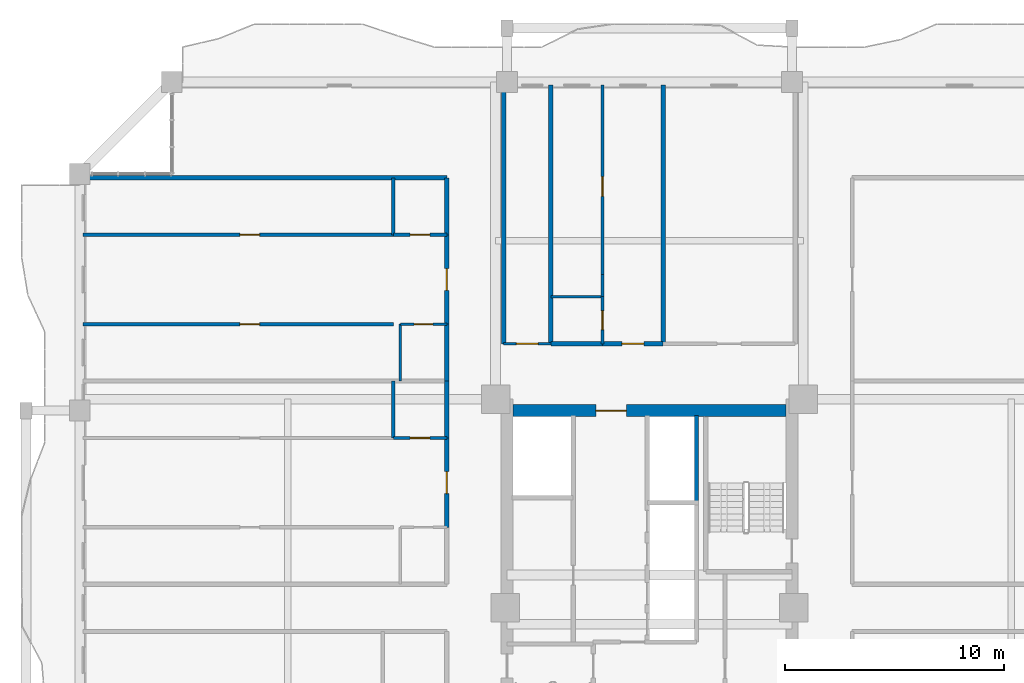
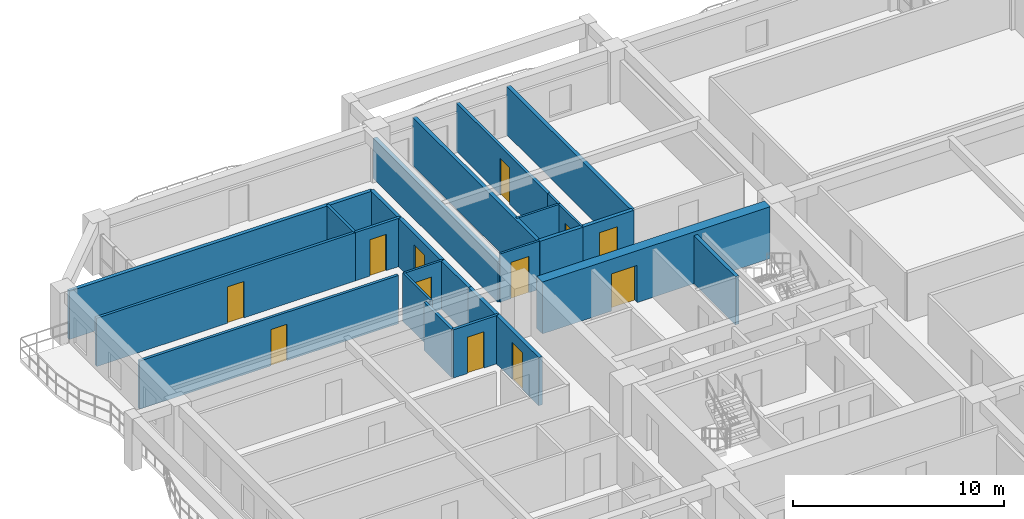
# One storey, part 16 of 22: 26 walls, 12 doors, 12 openings.
"""IFC4 building model written with IfcOpenShell, lengths in metres."""

from ifc_helpers import new_model, si_unit, direction, frame, frame_2d, origin, place, context, subcontext, project, spatial, rectangle, extrude, source, transform, mapped, material, layer, layer_set, type_object, element, fill, save


model = new_model("IFC4")

# Units and contexts
model_context = context("Model", 3, precision=1e-05, world=origin(), true_north=direction((0.0, 1.0)))
body_context = subcontext(model_context, "Body", "Model", "MODEL_VIEW")
ifc_project = project(units=[si_unit("LENGTHUNIT", "METRE"), si_unit("AREAUNIT", "SQUARE_METRE"), si_unit("VOLUMEUNIT", "CUBIC_METRE"), si_unit("PLANEANGLEUNIT", "RADIAN"), si_unit("MASSUNIT", "GRAM", prefix="KILO")], contexts=[model_context])

# Site, building, storey
site_placement = place(None, origin())
site = spatial("IfcSite", under=ifc_project, at=site_placement, CompositionType="ELEMENT")
building_placement = place(site_placement, origin())
building = spatial("IfcBuilding", under=site, at=building_placement, Name="Saelheon Loggia Tower", CompositionType="ELEMENT")
storey_placement = place(building_placement, frame((0.0, 0.0, 135.75)))
storey = spatial("IfcBuildingStorey", under=building, at=storey_placement, Name="L43", CompositionType="ELEMENT", Elevation=135.75)

# Wall, opening, door
ifc_material_1 = material(Name="Concrete C50/60", Category="concrete")
ifc_layer_1 = layer(ifc_material_1, 0.550048828125)
ifc_layer_set_1 = layer_set([ifc_layer_1], Name="Concrete C50/60")
wall_type_1 = type_object("IfcWallType", Name="Wall_CoreShear_550", PredefinedType="SHEAR", material=ifc_layer_set_1)
wall_1_placement = place(storey_placement, frame((31.77490234375, 36.0, 0.0), z_axis=(0.0, 0.0, 1.0), x_axis=(1.0, 0.0, 0.0)))
wall_1 = element("IfcWall", 1, at=wall_1_placement, inside=storey, type_object=wall_type_1, Name="L43 Core Shear Wall North", PredefinedType="SHEAR", context=body_context, shape_type="SweptSolid", body=[
    extrude(rectangle(XDim=12.4501953125, YDim=0.550048828125, at=frame_2d((6.22509765625, 0.0))), origin(), (0.0, 0.0, 1.0), 3.0),
])
opening_1_placement = place(wall_1_placement, frame((5.1748046875, 0.0, 0.0), z_axis=(0.0, 0.0, 1.0), x_axis=(-1.0, 0.0, 0.0)))
opening_1 = element("IfcOpeningElement", 2, at=opening_1_placement, cuts=wall_1, Name="Opening D-FD2L", PredefinedType="OPENING", context=body_context, shape_type="SweptSolid", body=[
    extrude(rectangle(XDim=1.39990234375, YDim=2.14990234375, at=frame_2d((0.699951171875, 1.074951171875))), frame((0.0, 0.287109375, 0.0), z_axis=(0.0, -1.0, 0.0), x_axis=(1.0, 0.0, 0.0)), (0.0, 0.0, 1.0), 0.573974609375),
])
ifc_material_2 = material(Name="Galvanised Steel Glazed Lobby Fire Door", Category="steel")
door_type_1 = type_object("IfcDoorType", Name="Door_Fire_FD60_1400", OperationType="NOTDEFINED", PredefinedType="DOOR", material=ifc_material_2)
shared_shape_1 = source(origin(), body_context, "Body", "SweptSolid", [
    extrude(rectangle(XDim=1.39990234375, YDim=2.14990234375, at=frame_2d((0.699951171875, 1.074951171875))), frame((0.0, 0.02490234375, 0.0), z_axis=(0.0, -1.0, 0.0), x_axis=(1.0, 0.0, 0.0)), (0.0, 0.0, 1.0), 0.050048828125),
])
door_1_placement = place(opening_1_placement, origin())
door_1 = element("IfcDoor", 3, at=door_1_placement, inside=storey, type_object=door_type_1, Name="L43 Passenger Lift Lobby Main Door", OperationType="SINGLE_SWING_RIGHT", OverallHeight=2.14990234375, OverallWidth=1.39990234375, PredefinedType="DOOR", context=body_context, shape_type="MappedRepresentation", body=[
    mapped(shared_shape_1, transform((0.0, 0.0, 0.0), scale=1.0)),
])
fill(opening_1, door_1)

ifc_material_3 = material(Name="Lightweight Autoclaved Aerated Concrete Block and Acoustic Gypsum", Category="concrete")
ifc_layer_2 = layer(ifc_material_3, 0.14990234375)
ifc_layer_set_2 = layer_set([ifc_layer_2], Name="Lightweight Autoclaved Aerated Concrete Block and Acoustic Gypsum")
wall_type_2 = type_object("IfcWallType", Name="Wall_Part_150", PredefinedType="PARTITIONING", material=ifc_layer_set_2)
wall_2_placement = place(storey_placement, frame((35.859375, 42.2099609375, 0.0), z_axis=(0.0, 0.0, 1.0), x_axis=(0.0, 1.0, 0.0)))
wall_2 = element("IfcWall", 4, at=wall_2_placement, inside=storey, type_object=wall_type_2, Name="L43 N Partition U10", PredefinedType="PARTITIONING", context=body_context, shape_type="SweptSolid", body=[
    extrude(rectangle(XDim=8.64013671875, YDim=0.14990234375, at=frame_2d((4.320068359375, 0.0))), origin(), (0.0, 0.0, 1.0), 2.7900390625),
])
opening_2_placement = place(wall_2_placement, frame((3.5673828125, 0.0, 0.0)))
opening_2 = element("IfcOpeningElement", 5, at=opening_2_placement, cuts=wall_2, Name="Opening D-IN2", PredefinedType="OPENING", context=body_context, shape_type="SweptSolid", body=[
    extrude(rectangle(XDim=0.89990234375, YDim=2.10009765625, at=frame_2d((0.449951171875, 1.050048828125))), frame((0.0, 0.0869140625, 0.0), z_axis=(0.0, -1.0, 0.0), x_axis=(1.0, 0.0, 0.0)), (0.0, 0.0, 1.0), 0.173828125),
])
ifc_material_4 = material(Name="Engineered Oak Flush Door", Category="timber")
door_type_2 = type_object("IfcDoorType", Name="Door_Int_900", OperationType="NOTDEFINED", PredefinedType="DOOR", material=ifc_material_4)
shared_shape_2 = source(origin(), body_context, "Body", "SweptSolid", [
    extrude(rectangle(XDim=0.89990234375, YDim=2.10009765625, at=frame_2d((0.449951171875, 1.050048828125))), frame((0.0, 0.02490234375, 0.0), z_axis=(0.0, -1.0, 0.0), x_axis=(1.0, 0.0, 0.0)), (0.0, 0.0, 1.0), 0.050048828125),
])
door_2_placement = place(opening_2_placement, origin())
door_2 = element("IfcDoor", 6, at=door_2_placement, inside=storey, type_object=door_type_2, Name="Unit U01 Kitchen Door", OperationType="SINGLE_SWING_RIGHT", OverallHeight=2.10009765625, OverallWidth=0.89990234375, PredefinedType="DOOR", context=body_context, shape_type="MappedRepresentation", body=[
    mapped(shared_shape_2, transform((0.0, 0.0, 0.0), scale=1.0)),
])
fill(opening_2, door_2)

# Wall
wall_3_placement = place(storey_placement, frame((26.31005859375, 34.75, 0.0), z_axis=(0.0, 0.0, 1.0), x_axis=(0.0, 1.0, 0.0)))
element("IfcWall", 7, at=wall_3_placement, inside=storey, type_object=wall_type_2, Name="L43 WN Partition V07", PredefinedType="PARTITIONING", context=body_context, shape_type="SweptSolid", body=[
    extrude(rectangle(XDim=2.60009765625, YDim=0.14990234375, at=frame_2d((1.300048828125, 0.0))), origin(), (0.0, 0.0, 1.0), 2.7900390625),
])

# Wall, opening, door
wall_4_placement = place(storey_placement, frame((28.75, 34.75, 0.0), z_axis=(0.0, 0.0, 1.0), x_axis=(-1.0, 0.0, 0.0)))
wall_4 = element("IfcWall", 8, at=wall_4_placement, inside=storey, type_object=wall_type_2, Name="L43 WN Partition U10", PredefinedType="PARTITIONING", context=body_context, shape_type="SweptSolid", body=[
    extrude(rectangle(XDim=2.43994140625, YDim=0.14990234375, at=frame_2d((1.219970703125, 0.0))), origin(), (0.0, 0.0, 1.0), 2.7900390625),
])
opening_3_placement = place(wall_4_placement, frame((0.77001953125, 0.0, 0.0)))
opening_3 = element("IfcOpeningElement", 9, at=opening_3_placement, cuts=wall_4, Name="Opening D-IN2", PredefinedType="OPENING", context=body_context, shape_type="SweptSolid", body=[
    extrude(rectangle(XDim=0.89990234375, YDim=2.10009765625, at=frame_2d((0.449951171875, 1.050048828125))), frame((0.0, 0.0869140625, 0.0), z_axis=(0.0, -1.0, 0.0), x_axis=(1.0, 0.0, 0.0)), (0.0, 0.0, 1.0), 0.173828125),
])
door_3_placement = place(opening_3_placement, origin())
door_3 = element("IfcDoor", 10, at=door_3_placement, inside=storey, type_object=door_type_2, Name="Unit U04 Dressing Closet Door", OperationType="SINGLE_SWING_LEFT", OverallHeight=2.10009765625, OverallWidth=0.89990234375, PredefinedType="DOOR", context=body_context, shape_type="MappedRepresentation", body=[
    mapped(shared_shape_2, transform((0.0, 0.0, 0.0), scale=1.0)),
])
fill(opening_3, door_3)

# Wall
wall_5_placement = place(storey_placement, frame((26.31005859375, 44.02001953125, 0.0), z_axis=(0.0, 0.0, 1.0), x_axis=(0.0, 1.0, 0.0)))
element("IfcWall", 11, at=wall_5_placement, inside=storey, type_object=wall_type_2, Name="L43 WN Partition V17", PredefinedType="PARTITIONING", context=body_context, shape_type="SweptSolid", body=[
    extrude(rectangle(XDim=2.60009765625, YDim=0.14990234375, at=frame_2d((1.300048828125, 0.0))), origin(), (0.0, 0.0, 1.0), 2.7900390625),
])

# Wall, opening, door
wall_6_placement = place(storey_placement, frame((26.31005859375, 39.945556640625, 0.0), z_axis=(0.0, 0.0, 1.0), x_axis=(-1.0, 0.0, 0.0)))
wall_6 = element("IfcWall", 12, at=wall_6_placement, inside=storey, type_object=wall_type_2, Name="L43 WN Partition U19", PredefinedType="PARTITIONING", context=body_context, shape_type="SweptSolid", body=[
    extrude(rectangle(XDim=14.16015625, YDim=0.14990234375, at=frame_2d((7.080078125, 0.0))), origin(), (0.0, 0.0, 1.0), 2.7900390625),
])
opening_4_placement = place(wall_6_placement, frame((6.097412109375, 0.0, 0.0)))
opening_4 = element("IfcOpeningElement", 13, at=opening_4_placement, cuts=wall_6, Name="Opening D-IN2", PredefinedType="OPENING", context=body_context, shape_type="SweptSolid", body=[
    extrude(rectangle(XDim=0.89990234375, YDim=2.10009765625, at=frame_2d((0.449951171875, 1.050048828125))), frame((0.0, 0.0869140625, 0.0), z_axis=(0.0, -1.0, 0.0), x_axis=(1.0, 0.0, 0.0)), (0.0, 0.0, 1.0), 0.173828125),
])
door_4_placement = place(opening_4_placement, origin())
door_4 = element("IfcDoor", 14, at=door_4_placement, inside=storey, type_object=door_type_2, Name="Unit U05 Kitchen Door", OperationType="SINGLE_SWING_LEFT", OverallHeight=2.10009765625, OverallWidth=0.89990234375, PredefinedType="DOOR", context=body_context, shape_type="MappedRepresentation", body=[
    mapped(shared_shape_2, transform((0.0, 0.0, 0.0), scale=1.0)),
])
fill(opening_4, door_4)

wall_7_placement = place(storey_placement, frame((28.75, 44.02001953125, 0.0), z_axis=(0.0, 0.0, 1.0), x_axis=(-1.0, 0.0, 0.0)))
wall_7 = element("IfcWall", 15, at=wall_7_placement, inside=storey, type_object=wall_type_2, Name="L43 WN Partition U20", PredefinedType="PARTITIONING", context=body_context, shape_type="SweptSolid", body=[
    extrude(rectangle(XDim=2.43994140625, YDim=0.14990234375, at=frame_2d((1.219970703125, 0.0))), origin(), (0.0, 0.0, 1.0), 2.7900390625),
])
opening_5_placement = place(wall_7_placement, frame((0.77001953125, 0.0, 0.0)))
opening_5 = element("IfcOpeningElement", 16, at=opening_5_placement, cuts=wall_7, Name="Opening D-IN2", PredefinedType="OPENING", context=body_context, shape_type="SweptSolid", body=[
    extrude(rectangle(XDim=0.89990234375, YDim=2.10009765625, at=frame_2d((0.449951171875, 1.050048828125))), frame((0.0, 0.0869140625, 0.0), z_axis=(0.0, -1.0, 0.0), x_axis=(1.0, 0.0, 0.0)), (0.0, 0.0, 1.0), 0.173828125),
])
door_5_placement = place(opening_5_placement, origin())
door_5 = element("IfcDoor", 17, at=door_5_placement, inside=storey, type_object=door_type_2, Name="Unit U05 Dressing Closet Door", OperationType="SINGLE_SWING_RIGHT", OverallHeight=2.10009765625, OverallWidth=0.89990234375, PredefinedType="DOOR", context=body_context, shape_type="MappedRepresentation", body=[
    mapped(shared_shape_2, transform((0.0, 0.0, 0.0), scale=1.0)),
])
fill(opening_5, door_5)

wall_8_placement = place(storey_placement, frame((26.31005859375, 44.02001953125, 0.0), z_axis=(0.0, 0.0, 1.0), x_axis=(-1.0, 0.0, 0.0)))
wall_8 = element("IfcWall", 18, at=wall_8_placement, inside=storey, type_object=wall_type_2, Name="L43 WN Partition U21", PredefinedType="PARTITIONING", context=body_context, shape_type="SweptSolid", body=[
    extrude(rectangle(XDim=14.16015625, YDim=0.14990234375, at=frame_2d((7.080078125, 0.0))), origin(), (0.0, 0.0, 1.0), 2.7900390625),
])
opening_6_placement = place(wall_8_placement, frame((6.097412109375, 0.0, 0.0)))
opening_6 = element("IfcOpeningElement", 19, at=opening_6_placement, cuts=wall_8, Name="Opening D-IN2", PredefinedType="OPENING", context=body_context, shape_type="SweptSolid", body=[
    extrude(rectangle(XDim=0.89990234375, YDim=2.10009765625, at=frame_2d((0.449951171875, 1.050048828125))), frame((0.0, 0.0869140625, 0.0), z_axis=(0.0, -1.0, 0.0), x_axis=(1.0, 0.0, 0.0)), (0.0, 0.0, 1.0), 0.173828125),
])
door_6_placement = place(opening_6_placement, origin())
door_6 = element("IfcDoor", 20, at=door_6_placement, inside=storey, type_object=door_type_2, Name="Unit U05 Bedroom 1 Door", OperationType="SINGLE_SWING_LEFT", OverallHeight=2.10009765625, OverallWidth=0.89990234375, PredefinedType="DOOR", context=body_context, shape_type="MappedRepresentation", body=[
    mapped(shared_shape_2, transform((0.0, 0.0, 0.0), scale=1.0)),
])
fill(opening_6, door_6)

# Walls
ifc_material_5 = material(Name="Double Acoustic Stud and Fireboard Partition", Category="gypsum")
ifc_layer_3 = layer(ifc_material_5, 0.199951171875)
ifc_layer_set_3 = layer_set([ifc_layer_3], Name="Double Acoustic Stud and Fireboard Partition")
wall_type_3 = type_object("IfcWallType", Name="Wall_Party_200", PredefinedType="PARTITIONING", material=ifc_layer_set_3)
wall_9_placement = place(storey_placement, frame((31.35009765625, 39.050048828125, 0.0), z_axis=(0.0, 0.0, 1.0), x_axis=(0.0, 1.0, 0.0)))
element("IfcWall", 21, at=wall_9_placement, inside=storey, type_object=wall_type_3, Name="L43 N Partition U01", PredefinedType="PARTITIONING", context=body_context, shape_type="SweptSolid", body=[
    extrude(rectangle(XDim=11.800048828125, YDim=0.199951171875, at=frame_2d((5.89990234375, 0.0))), origin(), (0.0, 0.0, 1.0), 2.340087890625),
])
wall_10_placement = place(storey_placement, frame((33.5, 39.050048828125, 0.0), z_axis=(0.0, 0.0, 1.0), x_axis=(0.0, 1.0, 0.0)))
element("IfcWall", 22, at=wall_10_placement, inside=storey, type_object=wall_type_3, Name="L43 N Partition U03", PredefinedType="PARTITIONING", context=body_context, shape_type="SweptSolid", body=[
    extrude(rectangle(XDim=11.800048828125, YDim=0.199951171875, at=frame_2d((5.89990234375, 0.0))), origin(), (0.0, 0.0, 1.0), 2.7900390625),
])
wall_11_placement = place(storey_placement, frame((33.5, 39.050048828125, 0.0), z_axis=(0.0, 0.0, 1.0), x_axis=(1.0, 0.0, 0.0)))
element("IfcWall", 23, at=wall_11_placement, inside=storey, type_object=wall_type_3, Name="L43 N Partition V05", PredefinedType="PARTITIONING", context=body_context, shape_type="SweptSolid", body=[
    extrude(rectangle(XDim=2.359375, YDim=0.199951171875, at=frame_2d((1.1796875, 0.0))), origin(), (0.0, 0.0, 1.0), 2.7900390625),
])

# Wall, opening, door
wall_12_placement = place(storey_placement, frame((35.859375, 39.050048828125, 0.0), z_axis=(0.0, 0.0, 1.0), x_axis=(1.0, 0.0, 0.0)))
wall_12 = element("IfcWall", 24, at=wall_12_placement, inside=storey, type_object=wall_type_3, Name="L43 N Partition V06", PredefinedType="PARTITIONING", context=body_context, shape_type="SweptSolid", body=[
    extrude(rectangle(XDim=2.76953125, YDim=0.199951171875, at=frame_2d((1.384765625, 0.0))), origin(), (0.0, 0.0, 1.0), 2.7900390625),
])
opening_7_placement = place(wall_12_placement, frame((0.885009765625, 0.0, 0.0)))
opening_7 = element("IfcOpeningElement", 25, at=opening_7_placement, cuts=wall_12, Name="Opening D-FD1", PredefinedType="OPENING", context=body_context, shape_type="SweptSolid", body=[
    extrude(rectangle(XDim=1.0, YDim=2.14990234375, at=frame_2d((0.5, 1.074951171875))), frame((0.0, 0.112060546875, 0.0), z_axis=(0.0, -1.0, 0.0), x_axis=(1.0, 0.0, 0.0)), (0.0, 0.0, 1.0), 0.223876953125),
])
ifc_material_6 = material(Name="Fire-Rated Engineered Timber Entrance Door", Category="wood")
door_type_3 = type_object("IfcDoorType", Name="Door_Flat_FD30S", OperationType="NOTDEFINED", PredefinedType="DOOR", material=ifc_material_6)
shared_shape_3 = source(origin(), body_context, "Body", "SweptSolid", [
    extrude(rectangle(XDim=1.0, YDim=2.14990234375, at=frame_2d((0.5, 1.074951171875))), frame((0.0, 0.02490234375, 0.0), z_axis=(0.0, -1.0, 0.0), x_axis=(1.0, 0.0, 0.0)), (0.0, 0.0, 1.0), 0.050048828125),
])
door_7_placement = place(opening_7_placement, origin())
door_7 = element("IfcDoor", 26, at=door_7_placement, inside=storey, type_object=door_type_3, Name="Unit U01 Entrance Door", OperationType="SINGLE_SWING_RIGHT", OverallHeight=2.14990234375, OverallWidth=1.0, PredefinedType="DOOR", context=body_context, shape_type="MappedRepresentation", body=[
    mapped(shared_shape_3, transform((0.0, 0.0, 0.0), scale=1.0)),
])
fill(opening_7, door_7)

# Walls
wall_13_placement = place(storey_placement, frame((38.62890625, 39.050048828125, 0.0), z_axis=(0.0, 0.0, 1.0), x_axis=(0.0, 1.0, 0.0)))
element("IfcWall", 27, at=wall_13_placement, inside=storey, type_object=wall_type_3, Name="L43 N Partition U11", PredefinedType="PARTITIONING", context=body_context, shape_type="SweptSolid", body=[
    extrude(rectangle(XDim=11.800048828125, YDim=0.199951171875, at=frame_2d((5.89990234375, 0.0))), origin(), (0.0, 0.0, 1.0), 2.7900390625),
])
wall_14_placement = place(storey_placement, frame((28.75, 46.6201171875, 0.0), z_axis=(0.0, 0.0, 1.0), x_axis=(-1.0, 0.0, 0.0)))
element("IfcWall", 28, at=wall_14_placement, inside=storey, type_object=wall_type_3, Name="L43 WN Partition U02", PredefinedType="PARTITIONING", context=body_context, shape_type="SweptSolid", body=[
    extrude(rectangle(XDim=16.60009765625, YDim=0.199951171875, at=frame_2d((8.300048828125, 0.0))), origin(), (0.0, 0.0, 1.0), 2.7900390625),
])

# Wall, opening, door
wall_15_placement = place(storey_placement, frame((28.75, 30.675537109375, 0.0), z_axis=(0.0, 0.0, 1.0), x_axis=(0.0, 1.0, 0.0)))
wall_15 = element("IfcWall", 29, at=wall_15_placement, inside=storey, type_object=wall_type_3, Name="L43 WN Partition V04", PredefinedType="PARTITIONING", context=body_context, shape_type="SweptSolid", body=[
    extrude(rectangle(XDim=4.074462890625, YDim=0.199951171875, at=frame_2d((2.037109375, 0.0))), origin(), (0.0, 0.0, 1.0), 2.7900390625),
])
opening_8_placement = place(wall_15_placement, frame((1.537109375, 0.0, 0.0)))
opening_8 = element("IfcOpeningElement", 30, at=opening_8_placement, cuts=wall_15, Name="Opening D-FD1", PredefinedType="OPENING", context=body_context, shape_type="SweptSolid", body=[
    extrude(rectangle(XDim=1.0, YDim=2.14990234375, at=frame_2d((0.5, 1.074951171875))), frame((0.0, 0.112060546875, 0.0), z_axis=(0.0, -1.0, 0.0), x_axis=(1.0, 0.0, 0.0)), (0.0, 0.0, 1.0), 0.223876953125),
])
door_8_placement = place(opening_8_placement, origin())
door_8 = element("IfcDoor", 31, at=door_8_placement, inside=storey, type_object=door_type_3, Name="Unit U04 Entrance Door", OperationType="SINGLE_SWING_RIGHT", OverallHeight=2.14990234375, OverallWidth=1.0, PredefinedType="DOOR", context=body_context, shape_type="MappedRepresentation", body=[
    mapped(shared_shape_3, transform((0.0, 0.0, 0.0), scale=1.0)),
])
fill(opening_8, door_8)

# Walls
wall_16_placement = place(storey_placement, frame((28.75, 34.75, 0.0), z_axis=(0.0, 0.0, 1.0), x_axis=(0.0, 1.0, 0.0)))
element("IfcWall", 32, at=wall_16_placement, inside=storey, type_object=wall_type_3, Name="L43 WN Partition V05", PredefinedType="PARTITIONING", context=body_context, shape_type="SweptSolid", body=[
    extrude(rectangle(XDim=2.60009765625, YDim=0.199951171875, at=frame_2d((1.300048828125, 0.0))), origin(), (0.0, 0.0, 1.0), 2.7900390625),
])
wall_17_placement = place(storey_placement, frame((28.75, 37.35009765625, 0.0), z_axis=(0.0, 0.0, 1.0), x_axis=(0.0, 1.0, 0.0)))
element("IfcWall", 33, at=wall_17_placement, inside=storey, type_object=wall_type_3, Name="L43 WN Partition V13", PredefinedType="PARTITIONING", context=body_context, shape_type="SweptSolid", body=[
    extrude(rectangle(XDim=2.595458984375, YDim=0.199951171875, at=frame_2d((1.2978515625, 0.0))), origin(), (0.0, 0.0, 1.0), 2.7900390625),
])

# Wall, opening, door
wall_18_placement = place(storey_placement, frame((28.75, 39.945556640625, 0.0), z_axis=(0.0, 0.0, 1.0), x_axis=(0.0, 1.0, 0.0)))
wall_18 = element("IfcWall", 34, at=wall_18_placement, inside=storey, type_object=wall_type_3, Name="L43 WN Partition V14", PredefinedType="PARTITIONING", context=body_context, shape_type="SweptSolid", body=[
    extrude(rectangle(XDim=4.074462890625, YDim=0.199951171875, at=frame_2d((2.037109375, 0.0))), origin(), (0.0, 0.0, 1.0), 2.7900390625),
])
opening_9_placement = place(wall_18_placement, frame((1.537109375, 0.0, 0.0)))
opening_9 = element("IfcOpeningElement", 35, at=opening_9_placement, cuts=wall_18, Name="Opening D-FD1", PredefinedType="OPENING", context=body_context, shape_type="SweptSolid", body=[
    extrude(rectangle(XDim=1.0, YDim=2.14990234375, at=frame_2d((0.5, 1.074951171875))), frame((0.0, 0.112060546875, 0.0), z_axis=(0.0, -1.0, 0.0), x_axis=(1.0, 0.0, 0.0)), (0.0, 0.0, 1.0), 0.223876953125),
])
door_9_placement = place(opening_9_placement, origin())
door_9 = element("IfcDoor", 36, at=door_9_placement, inside=storey, type_object=door_type_3, Name="Unit U05 Entrance Door", OperationType="SINGLE_SWING_LEFT", OverallHeight=2.14990234375, OverallWidth=1.0, PredefinedType="DOOR", context=body_context, shape_type="MappedRepresentation", body=[
    mapped(shared_shape_3, transform((0.0, 0.0, 0.0), scale=1.0)),
])
fill(opening_9, door_9)

# Walls
wall_19_placement = place(storey_placement, frame((28.75, 44.02001953125, 0.0), z_axis=(0.0, 0.0, 1.0), x_axis=(0.0, 1.0, 0.0)))
element("IfcWall", 37, at=wall_19_placement, inside=storey, type_object=wall_type_3, Name="L43 WN Partition V15", PredefinedType="PARTITIONING", context=body_context, shape_type="SweptSolid", body=[
    extrude(rectangle(XDim=2.60009765625, YDim=0.199951171875, at=frame_2d((1.300048828125, 0.0))), origin(), (0.0, 0.0, 1.0), 2.7900390625),
])
ifc_material_7 = material(Name="Concrete C40/50", Category="concrete")
ifc_layer_4 = layer(ifc_material_7, 0.199951171875)
ifc_layer_set_4 = layer_set([ifc_layer_4], Name="Concrete C40/50")
wall_type_4 = type_object("IfcWallType", Name="Wall_Shaft_200", PredefinedType="PARTITIONING", material=ifc_layer_set_4)
wall_20_placement = place(storey_placement, frame((40.14990234375, 31.800048828125, 0.0), z_axis=(0.0, 0.0, 1.0), x_axis=(0.0, 1.0, 0.0)))
element("IfcWall", 38, at=wall_20_placement, inside=storey, type_object=wall_type_4, Name="L43 East High-Rise Hoistway East Wall", PredefinedType="PARTITIONING", context=body_context, shape_type="SweptSolid", body=[
    extrude(rectangle(XDim=3.97998046875, YDim=0.199951171875, at=frame_2d((1.989990234375, 0.0))), origin(), (0.0, 0.0, 1.0), 2.7900390625),
])

# Wall, opening, door
ifc_material_8 = material(Name="Moisture-Resistant Cement Board Partition", Category="gypsum")
ifc_layer_5 = layer(ifc_material_8, 0.1201171875)
ifc_layer_set_5 = layer_set([ifc_layer_5], Name="Moisture-Resistant Cement Board Partition")
wall_type_5 = type_object("IfcWallType", Name="Wall_WetPart_120", PredefinedType="PARTITIONING", material=ifc_layer_set_5)
wall_21_placement = place(storey_placement, frame((31.35009765625, 39.050048828125, 0.0), z_axis=(0.0, 0.0, 1.0), x_axis=(1.0, 0.0, 0.0)))
wall_21 = element("IfcWall", 39, at=wall_21_placement, inside=storey, type_object=wall_type_5, Name="L43 N Partition V04", PredefinedType="PARTITIONING", context=body_context, shape_type="SweptSolid", body=[
    extrude(rectangle(XDim=2.14990234375, YDim=0.1201171875, at=frame_2d((1.074951171875, 0.0))), origin(), (0.0, 0.0, 1.0), 2.7900390625),
])
opening_10_placement = place(wall_21_placement, frame((0.574951171875, 0.0, 0.0)))
opening_10 = element("IfcOpeningElement", 40, at=opening_10_placement, cuts=wall_21, Name="Opening D-AC1", PredefinedType="OPENING", context=body_context, shape_type="SweptSolid", body=[
    extrude(rectangle(XDim=1.0, YDim=2.10009765625, at=frame_2d((0.5, 1.050048828125))), frame((0.0, 0.072021484375, 0.0), z_axis=(0.0, -1.0, 0.0), x_axis=(1.0, 0.0, 0.0)), (0.0, 0.0, 1.0), 0.14404296875),
])
ifc_material_9 = material(Name="Accessible Laminate Flush Door", Category="timber")
door_type_4 = type_object("IfcDoorType", Name="Door_Acc_1000", OperationType="NOTDEFINED", PredefinedType="DOOR", material=ifc_material_9)
shared_shape_4 = source(origin(), body_context, "Body", "SweptSolid", [
    extrude(rectangle(XDim=1.0, YDim=2.10009765625, at=frame_2d((0.5, 1.050048828125))), frame((0.0, 0.02490234375, 0.0), z_axis=(0.0, -1.0, 0.0), x_axis=(1.0, 0.0, 0.0)), (0.0, 0.0, 1.0), 0.050048828125),
])
door_10_placement = place(opening_10_placement, origin())
door_10 = element("IfcDoor", 41, at=door_10_placement, inside=storey, type_object=door_type_4, Name="L43 Floor Accessible WC Door", OperationType="SINGLE_SWING_LEFT", OverallHeight=2.10009765625, OverallWidth=1.0, PredefinedType="DOOR", context=body_context, shape_type="MappedRepresentation", body=[
    mapped(shared_shape_4, transform((0.0, 0.0, 0.0), scale=1.0)),
])
fill(opening_10, door_10)

wall_22_placement = place(storey_placement, frame((35.859375, 39.050048828125, 0.0), z_axis=(0.0, 0.0, 1.0), x_axis=(0.0, 1.0, 0.0)))
wall_22 = element("IfcWall", 42, at=wall_22_placement, inside=storey, type_object=wall_type_5, Name="L43 N Partition U07", PredefinedType="PARTITIONING", context=body_context, shape_type="SweptSolid", body=[
    extrude(rectangle(XDim=2.14990234375, YDim=0.1201171875, at=frame_2d((1.074951171875, 0.0))), origin(), (0.0, 0.0, 1.0), 2.7900390625),
])
opening_11_placement = place(wall_22_placement, frame((0.64990234375, 0.0, 0.0)))
opening_11 = element("IfcOpeningElement", 43, at=opening_11_placement, cuts=wall_22, Name="Opening D-BT1", PredefinedType="OPENING", context=body_context, shape_type="SweptSolid", body=[
    extrude(rectangle(XDim=0.85009765625, YDim=2.050048828125, at=frame_2d((0.425048828125, 1.02490234375))), frame((0.0, 0.072021484375, 0.0), z_axis=(0.0, -1.0, 0.0), x_axis=(1.0, 0.0, 0.0)), (0.0, 0.0, 1.0), 0.14404296875),
])
ifc_material_10 = material(Name="Moisture-Resistant Laminate Timber Door", Category="wood")
door_type_5 = type_object("IfcDoorType", Name="Door_Bath_850", OperationType="NOTDEFINED", PredefinedType="DOOR", material=ifc_material_10)
shared_shape_5 = source(origin(), body_context, "Body", "SweptSolid", [
    extrude(rectangle(XDim=0.85009765625, YDim=2.050048828125, at=frame_2d((0.425048828125, 1.02490234375))), frame((0.0, 0.02490234375, 0.0), z_axis=(0.0, -1.0, 0.0), x_axis=(1.0, 0.0, 0.0)), (0.0, 0.0, 1.0), 0.050048828125),
])
door_11_placement = place(opening_11_placement, origin())
door_11 = element("IfcDoor", 44, at=door_11_placement, inside=storey, type_object=door_type_5, Name="Unit U01 Bathroom Door", OperationType="SINGLE_SWING_LEFT", OverallHeight=2.050048828125, OverallWidth=0.85009765625, PredefinedType="DOOR", context=body_context, shape_type="MappedRepresentation", body=[
    mapped(shared_shape_5, transform((0.0, 0.0, 0.0), scale=1.0)),
])
fill(opening_11, door_11)

# Walls
wall_23_placement = place(storey_placement, frame((35.859375, 41.199951171875, 0.0), z_axis=(0.0, 0.0, 1.0), x_axis=(0.0, 1.0, 0.0)))
element("IfcWall", 45, at=wall_23_placement, inside=storey, type_object=wall_type_5, Name="L43 N Partition U08", PredefinedType="PARTITIONING", context=body_context, shape_type="SweptSolid", body=[
    extrude(rectangle(XDim=1.010009765625, YDim=0.1201171875, at=frame_2d((0.5048828125, 0.0))), origin(), (0.0, 0.0, 1.0), 2.7900390625),
])
wall_24_placement = place(storey_placement, frame((33.5, 41.199951171875, 0.0), z_axis=(0.0, 0.0, 1.0), x_axis=(1.0, 0.0, 0.0)))
element("IfcWall", 46, at=wall_24_placement, inside=storey, type_object=wall_type_5, Name="L43 N Partition V09", PredefinedType="PARTITIONING", context=body_context, shape_type="SweptSolid", body=[
    extrude(rectangle(XDim=2.359375, YDim=0.1201171875, at=frame_2d((1.1796875, 0.0))), origin(), (0.0, 0.0, 1.0), 2.7900390625),
])
wall_25_placement = place(storey_placement, frame((26.6298828125, 37.35009765625, 0.0), z_axis=(0.0, 0.0, 1.0), x_axis=(0.0, 1.0, 0.0)))
element("IfcWall", 47, at=wall_25_placement, inside=storey, type_object=wall_type_5, Name="L43 WN Partition V16", PredefinedType="PARTITIONING", context=body_context, shape_type="SweptSolid", body=[
    extrude(rectangle(XDim=2.595458984375, YDim=0.1201171875, at=frame_2d((1.2978515625, 0.0))), origin(), (0.0, 0.0, 1.0), 2.7900390625),
])

# Wall, opening, door
wall_26_placement = place(storey_placement, frame((28.75, 39.945556640625, 0.0), z_axis=(0.0, 0.0, 1.0), x_axis=(-1.0, 0.0, 0.0)))
wall_26 = element("IfcWall", 48, at=wall_26_placement, inside=storey, type_object=wall_type_5, Name="L43 WN Partition U18", PredefinedType="PARTITIONING", context=body_context, shape_type="SweptSolid", body=[
    extrude(rectangle(XDim=2.1201171875, YDim=0.1201171875, at=frame_2d((1.06005859375, 0.0))), origin(), (0.0, 0.0, 1.0), 2.7900390625),
])
opening_12_placement = place(wall_26_placement, frame((0.635009765625, 0.0, 0.0)))
opening_12 = element("IfcOpeningElement", 49, at=opening_12_placement, cuts=wall_26, Name="Opening D-BT1", PredefinedType="OPENING", context=body_context, shape_type="SweptSolid", body=[
    extrude(rectangle(XDim=0.85009765625, YDim=2.050048828125, at=frame_2d((0.425048828125, 1.02490234375))), frame((0.0, 0.072021484375, 0.0), z_axis=(0.0, -1.0, 0.0), x_axis=(1.0, 0.0, 0.0)), (0.0, 0.0, 1.0), 0.14404296875),
])
door_12_placement = place(opening_12_placement, origin())
door_12 = element("IfcDoor", 50, at=door_12_placement, inside=storey, type_object=door_type_5, Name="Unit U05 Bathroom Door", OperationType="SINGLE_SWING_RIGHT", OverallHeight=2.050048828125, OverallWidth=0.85009765625, PredefinedType="DOOR", context=body_context, shape_type="MappedRepresentation", body=[
    mapped(shared_shape_5, transform((0.0, 0.0, 0.0), scale=1.0)),
])
fill(opening_12, door_12)

save(model, "model.ifc")
